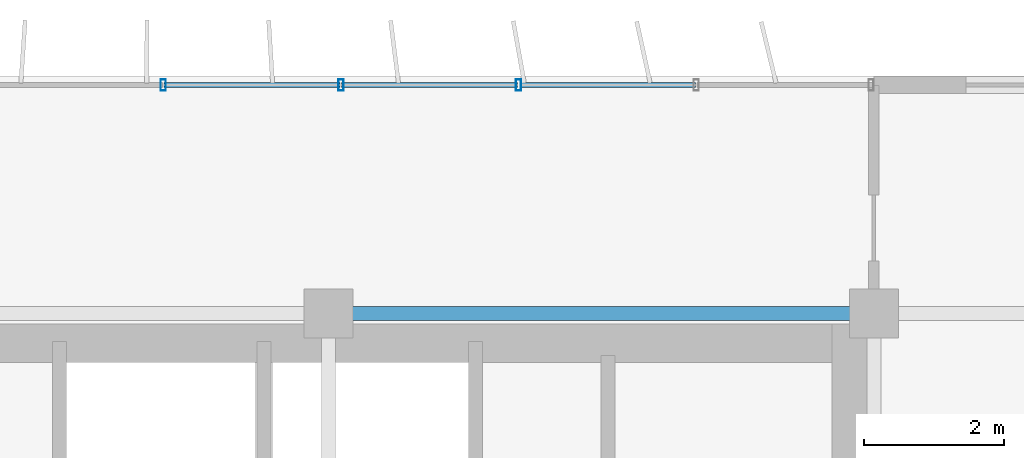
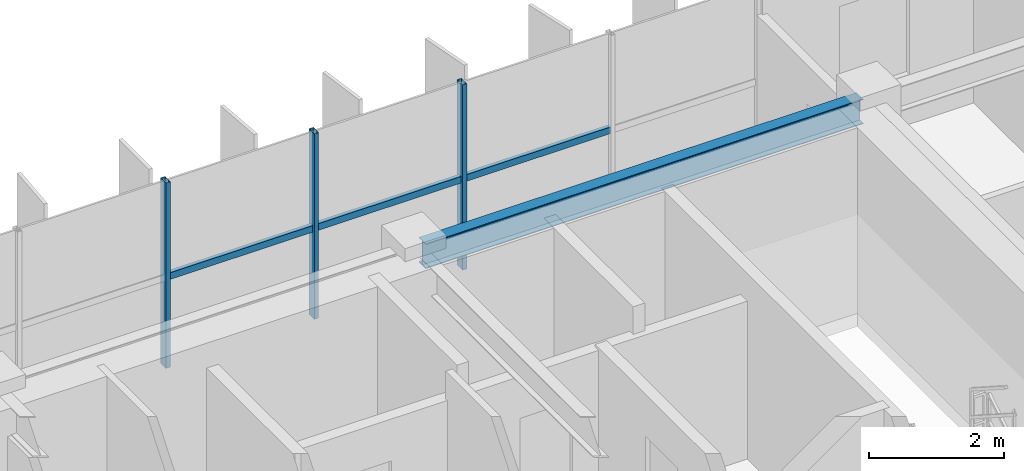
# One storey, part 12 of 23: 6 members, 1 beam, 1 element without a shape of its own.
"""IFC4 building model written with IfcOpenShell, lengths in metres."""

from ifc_helpers import new_model, si_unit, direction, frame, origin, origin_2d, place, context, subcontext, project, spatial, hollow_rectangle, i_section, extrude, source, transform, mapped, material, material_profile, profile_set, type_object, element, aggregate, save


model = new_model("IFC4")

# Units and contexts
model_context = context("Model", 3, precision=1e-05, world=origin(), true_north=direction((0.0, 1.0)))
body_context = subcontext(model_context, "Body", "Model", "MODEL_VIEW")
ifc_project = project(units=[si_unit("LENGTHUNIT", "METRE"), si_unit("AREAUNIT", "SQUARE_METRE"), si_unit("VOLUMEUNIT", "CUBIC_METRE"), si_unit("PLANEANGLEUNIT", "RADIAN"), si_unit("MASSUNIT", "GRAM", prefix="KILO")], contexts=[model_context])

# Site, building, storey
site_placement = place(None, origin())
site = spatial("IfcSite", under=ifc_project, at=site_placement, CompositionType="ELEMENT")
building_placement = place(site_placement, origin())
building = spatial("IfcBuilding", under=site, at=building_placement, Name="Trelvane Seafront Commons", CompositionType="ELEMENT")
storey_placement = place(building_placement, frame((0.0, 0.0, 208.5)))
storey = spatial("IfcBuildingStorey", under=building, at=storey_placement, Name="L54", CompositionType="ELEMENT", Elevation=208.5)

# Beam
ifc_material_1 = material(Name="Steel SM355 (S355)", Category="steel")
ifc_material_profile_1 = material_profile(ifc_material_1, i_section(OverallWidth=0.199951171875, OverallDepth=0.449951171875, WebThickness=0.009033203125, FlangeThickness=0.013916015625, at=origin_2d()), Name="H-450x200x9x14")
ifc_profile_set_1 = profile_set([ifc_material_profile_1], Name="Steel SM355 (S355)")
beam_type = type_object("IfcBeamType", Name="STR-SPD-H450", PredefinedType="SPANDREL", material=ifc_profile_set_1)
shared_shape_1 = source(origin(), body_context, "Body", "SweptSolid", [
    extrude(i_section(OverallWidth=0.199951171875, OverallDepth=0.449951171875, WebThickness=0.009033203125, FlangeThickness=0.013916015625, at=origin_2d()), origin(), (0.0, 0.0, 1.0), 7.5),
])
beam_placement = place(storey_placement, frame((51.14990234375, 45.10009765625, 3.135009765625), z_axis=(1.0, 0.0, 0.0), x_axis=(0.0, 1.0, 0.0)))
element("IfcBeam", 1, at=beam_placement, inside=storey, type_object=beam_type, Name="L54 Primary Girder G-27", PredefinedType="SPANDREL", context=body_context, shape_type="MappedRepresentation", body=[
    mapped(shared_shape_1, transform((0.0, 0.0, 0.0), x_axis=(1.0, 0.0, 0.0), y_axis=(0.0, 1.0, 0.0), z_axis=(0.0, 0.0, 1.0), scale=1.0)),
])

# Curtain wall, members
ifc_material_2 = material(Name="Anodised pale-silver aluminium", Category="aluminium")
curtain_wall_type = type_object("IfcCurtainWallType", Name="ARCH-CW5-UPTOWER", PredefinedType="NOTDEFINED", material=ifc_material_2)
curtain_wall_placement = place(storey_placement, origin())
curtain_wall = element("IfcCurtainWall", 2, at=curtain_wall_placement, inside=storey, type_object=curtain_wall_type, Name="CW-L54-0097", PredefinedType="NOTDEFINED")
ifc_material_profile_2 = material_profile(ifc_material_2, hollow_rectangle(XDim=0.070068359375, YDim=0.1201171875, WallThickness=0.00390625, at=origin_2d()), Name="TRAN-70x120x4")
ifc_profile_set_2 = profile_set([ifc_material_profile_2], Name="Anodised pale-silver aluminium")
member_type_1 = type_object("IfcMemberType", Name="ARCH-CW-TRAN-120", PredefinedType="USERDEFINED", material=ifc_profile_set_2)
shared_shape_2 = source(origin(), body_context, "Body", "SweptSolid", [
    extrude(hollow_rectangle(XDim=0.070068359375, YDim=0.1201171875, WallThickness=0.00390625, at=origin_2d()), origin(), (0.0, 0.0, 1.0), 2.51708984375),
])
member_1_placement = place(storey_placement, frame((51.1884765625, 48.3701171875, 1.613037109375), z_axis=(1.0, 0.0, 0.0), x_axis=(0.0, 1.0, 0.0)))
member_1 = element("IfcMember", 3, at=member_1_placement, type_object=member_type_1, Name="CW-L54-0097-T14", ObjectType="TRANSOM", PredefinedType="USERDEFINED", context=body_context, shape_type="MappedRepresentation", body=[
    mapped(shared_shape_2, transform((0.0, 0.0, 0.0), x_axis=(1.0, 0.0, 0.0), y_axis=(0.0, 1.0, 0.0), z_axis=(0.0, 0.0, 1.0), scale=1.0)),
])
shared_shape_3 = source(origin(), body_context, "Body", "SweptSolid", [
    extrude(hollow_rectangle(XDim=0.070068359375, YDim=0.1201171875, WallThickness=0.00390625, at=origin_2d()), origin(), (0.0, 0.0, 1.0), 2.517333984375),
])
member_2_placement = place(storey_placement, frame((48.647216796875, 48.3701171875, 1.613037109375), z_axis=(1.0, 0.0, 0.0), x_axis=(0.0, 1.0, 0.0)))
member_2 = element("IfcMember", 4, at=member_2_placement, type_object=member_type_1, Name="CW-L54-0097-T13", ObjectType="TRANSOM", PredefinedType="USERDEFINED", context=body_context, shape_type="MappedRepresentation", body=[
    mapped(shared_shape_3, transform((0.0, 0.0, 0.0), x_axis=(1.0, 0.0, 0.0), y_axis=(0.0, 1.0, 0.0), z_axis=(0.0, 0.0, 1.0), scale=1.0)),
])
member_3_placement = place(storey_placement, frame((53.7294921875, 48.3701171875, 1.613037109375), z_axis=(1.0, 0.0, 0.0), x_axis=(0.0, 1.0, 0.0)))
member_3 = element("IfcMember", 5, at=member_3_placement, type_object=member_type_1, Name="CW-L54-0097-T15", ObjectType="TRANSOM", PredefinedType="USERDEFINED", context=body_context, shape_type="MappedRepresentation", body=[
    mapped(shared_shape_3, transform((0.0, 0.0, 0.0), x_axis=(1.0, 0.0, 0.0), y_axis=(0.0, 1.0, 0.0), z_axis=(0.0, 0.0, 1.0), scale=1.0)),
])
ifc_material_profile_3 = material_profile(ifc_material_2, hollow_rectangle(XDim=0.074951171875, YDim=0.159912109375, WallThickness=0.00390625, at=origin_2d()), Name="MULL-75x160x4")
ifc_profile_set_3 = profile_set([ifc_material_profile_3], Name="Anodised pale-silver aluminium")
member_type_2 = type_object("IfcMemberType", Name="ARCH-CW-MULL-160", PredefinedType="MULLION", material=ifc_profile_set_3)
shared_shape_4 = source(origin(), body_context, "Body", "SweptSolid", [
    extrude(hollow_rectangle(XDim=0.074951171875, YDim=0.159912109375, WallThickness=0.00390625, at=origin_2d()), origin(), (0.0, 0.0, 1.0), 3.360107421875),
])
member_4_placement = place(storey_placement, frame((48.63525390625, 48.3701171875, 0.0), z_axis=(0.0, 0.0, 1.0), x_axis=(1.0, 0.0, 0.0)))
member_4 = element("IfcMember", 6, at=member_4_placement, type_object=member_type_2, Name="CW-L54-0097-M13", PredefinedType="MULLION", context=body_context, shape_type="MappedRepresentation", body=[
    mapped(shared_shape_4, transform((0.0, 0.0, 0.0), x_axis=(1.0, 0.0, 0.0), y_axis=(0.0, 1.0, 0.0), z_axis=(0.0, 0.0, 1.0), scale=1.0)),
])
member_5_placement = place(storey_placement, frame((51.176513671875, 48.3701171875, 0.0), z_axis=(0.0, 0.0, 1.0), x_axis=(1.0, 0.0, 0.0)))
member_5 = element("IfcMember", 7, at=member_5_placement, type_object=member_type_2, Name="CW-L54-0097-M14", PredefinedType="MULLION", context=body_context, shape_type="MappedRepresentation", body=[
    mapped(shared_shape_4, transform((0.0, 0.0, 0.0), x_axis=(1.0, 0.0, 0.0), y_axis=(0.0, 1.0, 0.0), z_axis=(0.0, 0.0, 1.0), scale=1.0)),
])
member_6_placement = place(storey_placement, frame((53.717529296875, 48.3701171875, 0.0), z_axis=(0.0, 0.0, 1.0), x_axis=(1.0, 0.0, 0.0)))
member_6 = element("IfcMember", 8, at=member_6_placement, type_object=member_type_2, Name="CW-L54-0097-M15", PredefinedType="MULLION", context=body_context, shape_type="MappedRepresentation", body=[
    mapped(shared_shape_4, transform((0.0, 0.0, 0.0), x_axis=(1.0, 0.0, 0.0), y_axis=(0.0, 1.0, 0.0), z_axis=(0.0, 0.0, 1.0), scale=1.0)),
])
aggregate(curtain_wall, [member_4, member_5, member_6, member_2, member_1, member_3])

save(model, "model.ifc")
